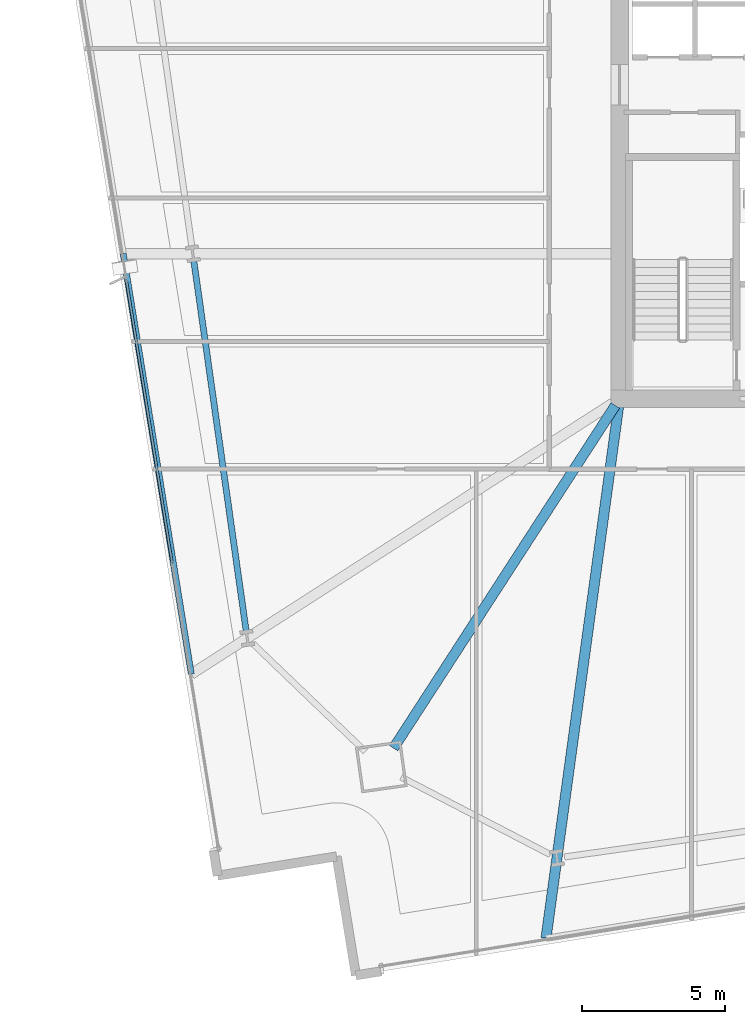
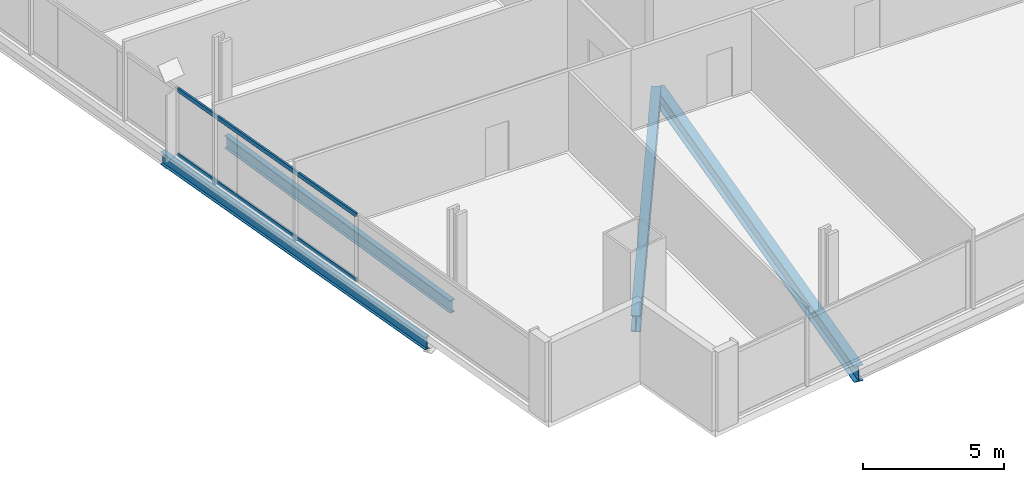
# One storey, part 6 of 33: 4 beams, 2 members, 1 element without a shape of its own.
"""IFC4 building model written with IfcOpenShell, lengths in metres."""

from ifc_helpers import new_model, si_unit, direction, frame, origin, origin_2d, place, context, subcontext, project, spatial, hollow_rectangle, i_section, extrude, material, material_profile, profile_set, type_object, element, aggregate, save


model = new_model("IFC4")

# Units and contexts
model_context = context("Model", 3, precision=1e-05, world=origin(), true_north=direction((0.0, 1.0)))
body_context = subcontext(model_context, "Body", "Model", "MODEL_VIEW")
ifc_project = project(units=[si_unit("LENGTHUNIT", "METRE"), si_unit("AREAUNIT", "SQUARE_METRE"), si_unit("VOLUMEUNIT", "CUBIC_METRE"), si_unit("PLANEANGLEUNIT", "RADIAN"), si_unit("MASSUNIT", "GRAM", prefix="KILO")], contexts=[model_context])

# Site, building, storey
site_placement = place(None, origin())
site = spatial("IfcSite", under=ifc_project, at=site_placement, CompositionType="ELEMENT")
building_placement = place(site_placement, origin())
building = spatial("IfcBuilding", under=site, at=building_placement, Name="Haldenkirk Collegiate Tower", CompositionType="ELEMENT")
storey_placement = place(building_placement, frame((0.0, 0.0, 58.949951171875)))
storey = spatial("IfcBuildingStorey", under=building, at=storey_placement, Name="L13", CompositionType="ELEMENT", Elevation=58.949951171875)

# Beams
ifc_material_1 = material(Name="Steel ASTM A992 Grade 50", Category="steel")
ifc_material_profile_1 = material_profile(ifc_material_1, i_section(OverallWidth=0.35498046875, OverallDepth=0.696044921875, WebThickness=0.015380859375, FlangeThickness=0.02490234375, at=origin_2d()), Name="W27X146")
ifc_profile_set_1 = profile_set([ifc_material_profile_1], Name="Steel ASTM A992 Grade 50")
beam_type_1 = type_object("IfcBeamType", Name="BM-GIRDER-W27X146", PredefinedType="BEAM", material=ifc_profile_set_1)
beam_1_placement = place(storey_placement, frame((19.1201171875, 5.826416015625, -0.657958984375), z_axis=(0.54339434448, 0.839477567531, 0.0), x_axis=(-0.839477567531, 0.54339434448, 0.0)))
element("IfcBeam", 1, at=beam_1_placement, inside=storey, type_object=beam_type_1, Name="L13 primary floor girder 01", PredefinedType="BEAM", context=body_context, shape_type="SweptSolid", body=[
    extrude(i_section(OverallWidth=0.35498046875, OverallDepth=0.696044921875, WebThickness=0.015380859375, FlangeThickness=0.02490234375, at=origin_2d()), origin(), (0.0, 0.0, 1.0), 14.221435546875),
])
beam_2_placement = place(storey_placement, frame((24.433349609375, -0.799072265625, -0.657958984375), z_axis=(0.135276971265, 0.990807822459, 0.0), x_axis=(-0.990807822459, 0.135276971265, 0.0)))
element("IfcBeam", 2, at=beam_2_placement, inside=storey, type_object=beam_type_1, Name="L13 primary floor girder 05", PredefinedType="BEAM", context=body_context, shape_type="SweptSolid", body=[
    extrude(i_section(OverallWidth=0.35498046875, OverallDepth=0.696044921875, WebThickness=0.015380859375, FlangeThickness=0.02490234375, at=origin_2d()), origin(), (0.0, 0.0, 1.0), 18.693603515625),
])
ifc_material_profile_2 = material_profile(ifc_material_1, i_section(OverallWidth=0.2119140625, OverallDepth=0.5439453125, WebThickness=0.01318359375, FlangeThickness=0.021240234375, at=origin_2d()), Name="W21X83")
ifc_profile_set_2 = profile_set([ifc_material_profile_2], Name="Steel ASTM A992 Grade 50")
beam_type_2 = type_object("IfcBeamType", Name="BM-SPANDREL-W21X83", PredefinedType="SPANDREL", material=ifc_profile_set_2)
beam_3_placement = place(storey_placement, frame((12.16455078125, 22.791015625, -0.58203125), z_axis=(0.140043508171, -0.990145350855, 0.0), x_axis=(0.990145350855, 0.140043508171, 0.0)))
element("IfcBeam", 3, at=beam_3_placement, inside=storey, type_object=beam_type_2, Name="L13 perimeter spandrel beam 15", PredefinedType="SPANDREL", context=body_context, shape_type="SweptSolid", body=[
    extrude(i_section(OverallWidth=0.2119140625, OverallDepth=0.5439453125, WebThickness=0.01318359375, FlangeThickness=0.021240234375, at=origin_2d()), origin(), (0.0, 0.0, 1.0), 13.0),
])
beam_4_placement = place(storey_placement, frame((9.702880859375, 23.052978515625, -0.58203125), z_axis=(0.159880070765, -0.987136445975, 0.0), x_axis=(0.987136445975, 0.159880070765, 0.0)))
element("IfcBeam", 4, at=beam_4_placement, inside=storey, type_object=beam_type_2, Name="L13 outer facade edge beam 4B", PredefinedType="SPANDREL", context=body_context, shape_type="SweptSolid", body=[
    extrude(i_section(OverallWidth=0.2119140625, OverallDepth=0.5439453125, WebThickness=0.01318359375, FlangeThickness=0.021240234375, at=origin_2d()), origin(), (0.0, 0.0, 1.0), 14.838134765625),
])

# Curtain wall, members
ifc_material_2 = material(Name="Anodised architectural bronze aluminium", Category="aluminium")
curtain_wall_type = type_object("IfcCurtainWallType", Name="CW-SYS1-CONVEX-LOW", PredefinedType="USERDEFINED", material=ifc_material_2)
curtain_wall_placement = place(storey_placement, origin())
curtain_wall = element("IfcCurtainWall", 5, at=curtain_wall_placement, inside=storey, type_object=curtain_wall_type, Name="L13 Lower tower convex bronze-framed unitised curtain wall", ObjectType="UNITISED CURTAIN WALL", PredefinedType="USERDEFINED")
ifc_material_profile_3 = material_profile(ifc_material_2, hollow_rectangle(XDim=0.080078125, YDim=0.179931640625, WallThickness=0.0048828125, at=origin_2d()), Name="CW-TRN-1A")
ifc_profile_set_3 = profile_set([ifc_material_profile_3], Name="Anodised architectural bronze aluminium")
member_type = type_object("IfcMemberType", Name="CW-TRN-1A", PredefinedType="USERDEFINED", material=ifc_profile_set_3)
member_1_placement = place(storey_placement, frame((11.407958984375, 12.275390625, 0.0400390625), z_axis=(-0.159870979599, 0.987137918369, 0.0), x_axis=(-0.987137918369, -0.159870979599, 0.0)))
member_1 = element("IfcMember", 6, at=member_1_placement, type_object=member_type, Name="CW-1A transom 2.1", ObjectType="TRANSOM", PredefinedType="USERDEFINED", context=body_context, shape_type="SweptSolid", body=[
    extrude(hollow_rectangle(XDim=0.080078125, YDim=0.179931640625, WallThickness=0.0048828125, at=origin_2d()), origin(), (0.0, 0.0, 1.0), 9.98876953125),
])
member_2_placement = place(storey_placement, frame((11.407958984375, 12.275390625, 2.85107421875), z_axis=(-0.159870979599, 0.987137918369, 0.0), x_axis=(-0.987137918369, -0.159870979599, 0.0)))
member_2 = element("IfcMember", 7, at=member_2_placement, type_object=member_type, Name="CW-1A transom 2.2", ObjectType="TRANSOM", PredefinedType="USERDEFINED", context=body_context, shape_type="SweptSolid", body=[
    extrude(hollow_rectangle(XDim=0.080078125, YDim=0.179931640625, WallThickness=0.0048828125, at=origin_2d()), origin(), (0.0, 0.0, 1.0), 9.98876953125),
])
aggregate(curtain_wall, [member_1, member_2])

save(model, "model.ifc")
